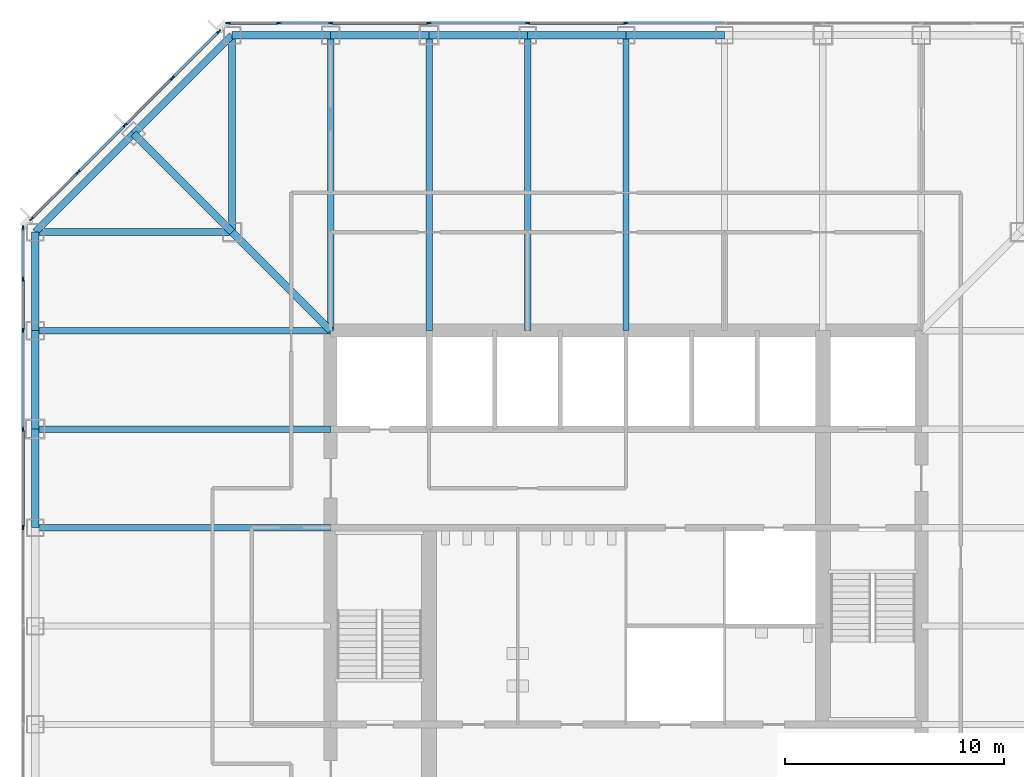
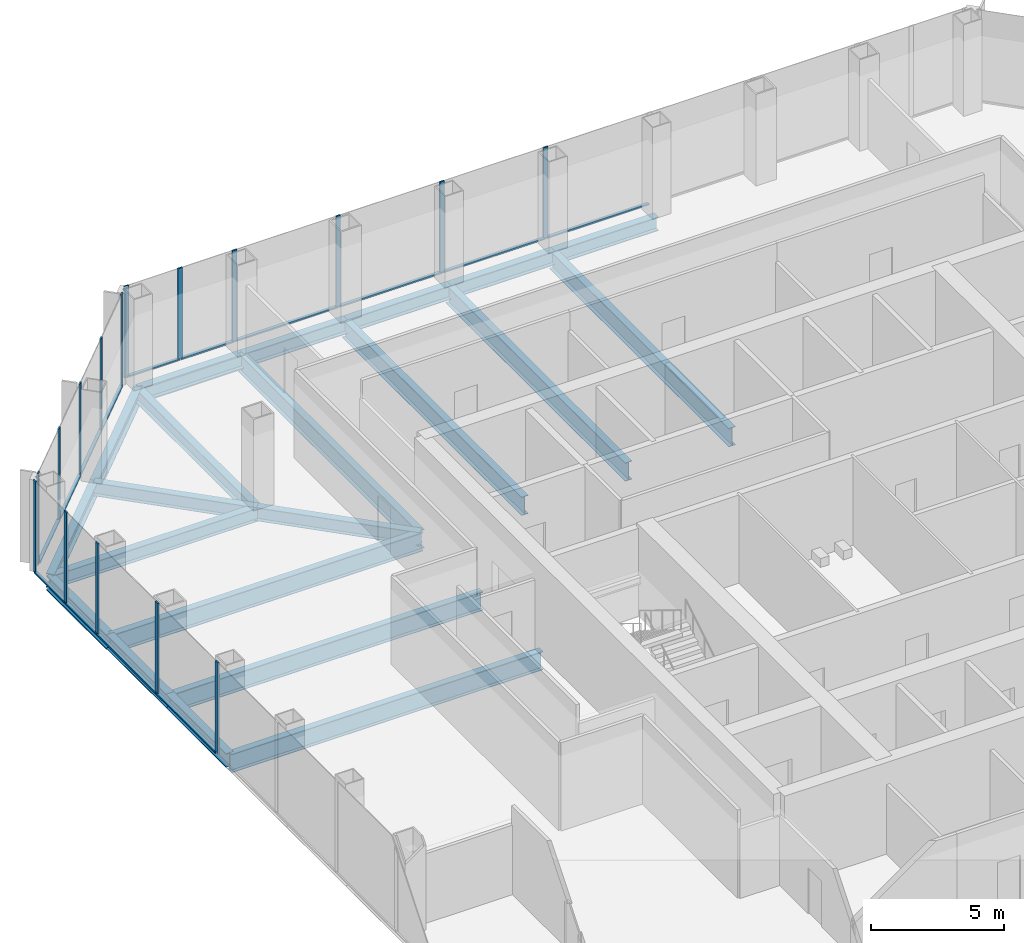
# One storey, part 5 of 12: 30 members, 21 beams, 3 elements without a shape of their own.
"""IFC4 building model written with IfcOpenShell, lengths in metres."""

import ifcopenshell
import ifcopenshell.guid

model = None  # the IFC model being written
_history = None  # IfcOwnerHistory: only IFC2X3 demands one
_inside = {}  # id of a spatial element -> (the spatial element, [elements in it])
_under = {}  # id of a project, library or spatial element -> (it, [spatial elements below it])
_declared = {}  # id of a project -> (the project, [libraries it declares])
_typed = {}  # id of a type object -> (the type object, [elements of that type])
_made_of = {}  # id of a material, layer set ... -> (it, [elements and type objects made of it])


def new_model(schema):
    """Start an empty IFC model of exactly this schema.

    Asked for "IFC4X3", IfcOpenShell would pick the latest addendum, in which some entities
    have other attributes; the version numbers below select the first issue.
    IFC2X3 requires an IfcOwnerHistory on every rooted entity: one is made here for all.
    """
    global model, _history
    if schema == "IFC4X3":
        model = ifcopenshell.file(schema_version=(4, 3, 0, 0))
    else:
        model = ifcopenshell.file(schema=schema)
    _inside.clear()
    _under.clear()
    _declared.clear()
    _typed.clear()
    _made_of.clear()
    _history = None
    if model.schema == "IFC2X3":
        org = make("IfcOrganization", Name="unknown")
        user = make(
            "IfcPersonAndOrganization",
            ThePerson=make("IfcPerson", FamilyName="unknown"),
            TheOrganization=org,
        )
        app = make(
            "IfcApplication",
            ApplicationDeveloper=org,
            Version="unknown",
            ApplicationFullName="unknown",
            ApplicationIdentifier="unknown",
        )
        _history = make(
            "IfcOwnerHistory",
            OwningUser=user,
            OwningApplication=app,
            ChangeAction="ADDED",
            CreationDate=0,
        )
    return model


def make(cls, **values):
    """One entity of the class cls with the attributes given. An attribute that is None is left unset."""
    return model.create_entity(
        cls, **{name: value for name, value in values.items() if value is not None}
    )


def rooted(cls, **values):
    """An entity with a GlobalId (a new one), such as an element, a storey or a relation."""
    return make(cls, GlobalId=ifcopenshell.guid.new(), OwnerHistory=_history, **values)


def si_unit(unit_type, name, prefix=None):
    """IfcSIUnit, for example si_unit("LENGTHUNIT", "METRE", prefix="MILLI")."""
    return make("IfcSIUnit", UnitType=unit_type, Prefix=prefix, Name=name)


def assignment(units):
    """IfcUnitAssignment: the units of a project."""
    return None if units is None else make("IfcUnitAssignment", Units=units)


def point(xyz):
    """IfcCartesianPoint."""
    return None if xyz is None else make("IfcCartesianPoint", Coordinates=xyz)


def direction(xyz):
    """IfcDirection."""
    return None if xyz is None else make("IfcDirection", DirectionRatios=xyz)


def frame(location, z_axis=None, x_axis=None):
    """IfcAxis2Placement3D, a coordinate frame: its origin and axes. An axis left out is left unset."""
    return make(
        "IfcAxis2Placement3D",
        Location=point(location),
        Axis=direction(z_axis),
        RefDirection=direction(x_axis),
    )


def frame_2d(location, x_axis=None):
    """IfcAxis2Placement2D, a coordinate frame in the plane: its origin and x axis."""
    return make(
        "IfcAxis2Placement2D", Location=point(location), RefDirection=direction(x_axis)
    )


def origin():
    """The frame at (0, 0, 0) with its axes left unset."""
    return frame((0.0, 0.0, 0.0))


def origin_2d():
    """The frame at (0, 0) in the plane with its x axis left unset."""
    return frame_2d((0.0, 0.0))


def place(relative_to, where):
    """IfcLocalPlacement: puts the frame where relative to a parent placement (None: the world)."""
    return make(
        "IfcLocalPlacement", PlacementRelTo=relative_to, RelativePlacement=where
    )


def context(
    kind, dimensions, precision=None, world=None, true_north=None, identifier=None
):
    """IfcGeometricRepresentationContext, for example the 3D "Model" context."""
    return make(
        "IfcGeometricRepresentationContext",
        ContextIdentifier=identifier,
        ContextType=kind,
        CoordinateSpaceDimension=dimensions,
        Precision=precision,
        WorldCoordinateSystem=world,
        TrueNorth=true_north,
    )


def subcontext(parent, identifier, kind, view, scale=None):
    """IfcGeometricRepresentationSubContext, for example "Body" below "Model"."""
    return make(
        "IfcGeometricRepresentationSubContext",
        ContextIdentifier=identifier,
        ContextType=kind,
        ParentContext=parent,
        TargetScale=scale,
        TargetView=view,
    )


def project(units=None, contexts=None):
    """IfcProject with its units and contexts."""
    return rooted(
        "IfcProject",
        Name="project",
        RepresentationContexts=contexts,
        UnitsInContext=assignment(units),
    )


def spatial(cls, under=None, at=None, **own):
    """A site, building, storey or space (cls), placed at a placement, below another one or the project."""
    s = rooted(cls, ObjectPlacement=at, **own)
    if under is not None:
        _under.setdefault(under.id(), (under, []))[1].append(s)
    return s


def profile(cls, at=None, kind="AREA", **sizes):
    """A parametric profile (cls). Its sizes go by their IFC names, for example OverallWidth=200.0."""
    return make(cls, ProfileType=kind, Position=at, **sizes)


def rectangle(**sizes):
    """IfcRectangleProfileDef."""
    return profile("IfcRectangleProfileDef", **sizes)


def i_section(**sizes):
    """IfcIShapeProfileDef."""
    return profile("IfcIShapeProfileDef", **sizes)


def extrude(swept, where, along, depth):
    """IfcExtrudedAreaSolid: the profile swept, set in the frame where, extruded along a direction by depth."""
    return make(
        "IfcExtrudedAreaSolid",
        SweptArea=swept,
        Position=where,
        ExtrudedDirection=direction(along),
        Depth=depth,
    )


def shape(context_of_items, identifier, shape_type, items):
    """IfcShapeRepresentation: the items that make up one representation, for example the "Body"."""
    return make(
        "IfcShapeRepresentation",
        ContextOfItems=context_of_items,
        RepresentationIdentifier=identifier,
        RepresentationType=shape_type,
        Items=items,
    )


def material(Name=None, Category=None):
    """IfcMaterial."""
    return make("IfcMaterial", Name=Name, Category=Category)


def material_profile(
    of_material, cross_section, Name=None, Category=None, Priority=None
):
    """IfcMaterialProfile: a cross section and its material."""
    return make(
        "IfcMaterialProfile",
        Name=Name,
        Material=of_material,
        Profile=cross_section,
        Priority=Priority,
        Category=Category,
    )


def profile_set(profiles, Name=None, composite=None):
    """IfcMaterialProfileSet."""
    return make(
        "IfcMaterialProfileSet",
        Name=Name,
        MaterialProfiles=profiles,
        CompositeProfile=composite,
    )


def made_of(thing, what):
    """Note that an element or type object is made of a material, layer set ...; save() writes the relation."""
    if what is not None:
        _made_of.setdefault(what.id(), (what, []))[1].append(thing)
    return thing


def type_object(cls, material=None, **own):
    """A type object (cls), such as IfcWallType, which elements share."""
    return made_of(rooted(cls, **own), material)


def element(
    cls,
    number,
    at=None,
    inside=None,
    cuts=None,
    type_object=None,
    material=None,
    context=None,
    identifier="Body",
    shape_type=None,
    held_by="IfcProductDefinitionShape",
    body=None,
    shapes=None,
    **own,
):
    """One element of the class cls, such as IfcWall. Its Tag is "e" and its number.

    at: its placement. inside: the storey or other place that contains it. cuts: it is an
    opening in that element (IfcRelVoidsElement). A single representation is given by context,
    identifier, shape_type and body (its items); several are given by shapes. held_by: the class
    of the entity that holds the representations. save() writes the other relations.
    """
    e = rooted(cls, Tag="e%d" % number, ObjectPlacement=at, **own)
    if body is not None:
        shapes = [shape(context, identifier, shape_type, body)]
    if shapes is not None:
        e.Representation = make(held_by, Representations=shapes)
    if inside is not None:
        _inside.setdefault(inside.id(), (inside, []))[1].append(e)
    if cuts is not None:
        rooted(
            "IfcRelVoidsElement", RelatingBuildingElement=cuts, RelatedOpeningElement=e
        )
    if type_object is not None:
        _typed.setdefault(type_object.id(), (type_object, []))[1].append(e)
    return made_of(e, material)


def aggregate(whole, parts):
    """IfcRelAggregates: a whole, such as a stair, and the parts it consists of."""
    return rooted("IfcRelAggregates", RelatingObject=whole, RelatedObjects=parts)


def save(model, path):
    """Write the relations noted so far, then the file.

    IfcRelAggregates (storeys below a building ...), IfcRelContainedInSpatialStructure (elements
    in a storey), IfcRelDefinesByType, IfcRelAssociatesMaterial and IfcRelDeclares: one each for
    every whole, place, type object, material and project.
    """
    for whole, parts in _under.values():
        aggregate(whole, parts)
    for where, things in _inside.values():
        rooted(
            "IfcRelContainedInSpatialStructure",
            RelatedElements=things,
            RelatingStructure=where,
        )
    for kind, things in _typed.values():
        rooted("IfcRelDefinesByType", RelatedObjects=things, RelatingType=kind)
    for what, things in _made_of.values():
        rooted("IfcRelAssociatesMaterial", RelatedObjects=things, RelatingMaterial=what)
    for by, libraries in _declared.values():
        rooted("IfcRelDeclares", RelatingContext=by, RelatedDefinitions=libraries)
    model.write(path)


model = new_model("IFC4")

# Units and contexts
model_context = context("Model", 3, precision=1e-05, world=origin(), true_north=direction((0.0, 1.0)))
body_context = subcontext(model_context, "Body", "Model", "MODEL_VIEW")
ifc_project = project(units=[si_unit("LENGTHUNIT", "METRE"), si_unit("AREAUNIT", "SQUARE_METRE"), si_unit("VOLUMEUNIT", "CUBIC_METRE"), si_unit("PLANEANGLEUNIT", "RADIAN"), si_unit("MASSUNIT", "GRAM", prefix="KILO")], contexts=[model_context])

# Site, building, storey
site_placement = place(None, origin())
site = spatial("IfcSite", under=ifc_project, at=site_placement, CompositionType="ELEMENT")
building_placement = place(site_placement, origin())
building = spatial("IfcBuilding", under=site, at=building_placement, Name="Corais Broadcast Tower", CompositionType="ELEMENT")
storey_placement = place(building_placement, frame((0.0, 0.0, 58.39990234375)))
storey = spatial("IfcBuildingStorey", under=building, at=storey_placement, Name="L12", CompositionType="ELEMENT", Elevation=58.39990234375)

# Beams
ifc_material_1 = material(Name="Steel ASTM A572 Grade 50", Category="steel")
ifc_material_profile_1 = material_profile(ifc_material_1, i_section(OverallWidth=0.323974609375, OverallDepth=0.611083984375, WebThickness=0.0126953125, FlangeThickness=0.01904296875, at=origin_2d()), Name="W610x155")
ifc_profile_set_1 = profile_set([ifc_material_profile_1], Name="Steel ASTM A572 Grade 50")
beam_type_1 = type_object("IfcBeamType", Name="Chamfer tie W610x155", PredefinedType="BEAM", material=ifc_profile_set_1)
beam_1_placement = place(storey_placement, frame((4.5, 49.5, -0.46533203125), z_axis=(0.707106781187, -0.707106781187, 0.0), x_axis=(0.707106781187, 0.707106781187, 0.0)))
element("IfcBeam", 1, at=beam_1_placement, inside=storey, type_object=beam_type_1, Name="B5 M/4 to L/5", PredefinedType="BEAM", context=body_context, shape_type="SweptSolid", body=[
    extrude(i_section(OverallWidth=0.323974609375, OverallDepth=0.611083984375, WebThickness=0.0126953125, FlangeThickness=0.01904296875, at=origin_2d()), origin(), (0.0, 0.0, 1.0), 6.364013671875),
])
ifc_material_2 = material(Name="Steel ASTM A572 Grade 50", Category="steel")
ifc_material_profile_2 = material_profile(ifc_material_2, i_section(OverallWidth=0.323974609375, OverallDepth=0.611083984375, WebThickness=0.0126953125, FlangeThickness=0.01904296875, at=origin_2d()), Name="W610x155")
ifc_profile_set_2 = profile_set([ifc_material_profile_2], Name="Steel ASTM A572 Grade 50")
beam_type_2 = type_object("IfcBeamType", Name="Corner diagonal W610x155", PredefinedType="BEAM", material=ifc_profile_set_2)
beam_2_placement = place(storey_placement, frame((9.0, 45.0, -0.46533203125), z_axis=(0.707106781187, -0.707106781187, 0.0), x_axis=(0.707106781187, 0.707106781187, 0.0)))
element("IfcBeam", 2, at=beam_2_placement, inside=storey, type_object=beam_type_2, Name="B6 L/5 to K/6", PredefinedType="BEAM", context=body_context, shape_type="SweptSolid", body=[
    extrude(i_section(OverallWidth=0.323974609375, OverallDepth=0.611083984375, WebThickness=0.0126953125, FlangeThickness=0.01904296875, at=origin_2d()), origin(), (0.0, 0.0, 1.0), 6.364013671875),
])
ifc_material_3 = material(Name="Steel ASTM A572 Grade 50", Category="steel")
ifc_material_profile_3 = material_profile(ifc_material_3, i_section(OverallWidth=0.323974609375, OverallDepth=0.611083984375, WebThickness=0.0126953125, FlangeThickness=0.01904296875, at=origin_2d()), Name="W610x155")
ifc_profile_set_3 = profile_set([ifc_material_profile_3], Name="Steel ASTM A572 Grade 50")
beam_type_3 = type_object("IfcBeamType", Name="Corner girder W610x155", PredefinedType="BEAM", material=ifc_profile_set_3)
for number, where, z_axis, x_axis, name in (
    (3, (0.0, 45.0, -0.46533203125), (1.0, 0.0, 0.0), (0.0, 1.0, 0.0), "B4 L/3 to L/5"),
    (4, (9.0, 54.0, -0.46533203125), (0.0, -1.0, 0.0), (1.0, 0.0, 0.0), "B4 N/5 to L/5"),
):
    element("IfcBeam", number, at=place(storey_placement, frame(where, z_axis=z_axis, x_axis=x_axis)), inside=storey, type_object=beam_type_3, Name=name, PredefinedType="BEAM", context=body_context, shape_type="SweptSolid", body=[
        extrude(i_section(OverallWidth=0.323974609375, OverallDepth=0.611083984375, WebThickness=0.0126953125, FlangeThickness=0.01904296875, at=origin_2d()), origin(), (0.0, 0.0, 1.0), 9.0),
    ])
ifc_material_4 = material(Name="Steel ASTM A572 Grade 50", Category="steel")
ifc_material_profile_4 = material_profile(ifc_material_4, i_section(OverallWidth=0.337890625, OverallDepth=0.677978515625, WebThickness=0.029541015625, FlangeThickness=0.052978515625, at=origin_2d()), Name="W610x415")
ifc_profile_set_4 = profile_set([ifc_material_profile_4], Name="Steel ASTM A572 Grade 50")
beam_type_4 = type_object("IfcBeamType", Name="Corner spandrel W610x415", PredefinedType="BEAM", material=ifc_profile_set_4)
for number, where, z_axis, x_axis, name in (
    (5, (0.0, 45.0, -0.4990234375), (0.0, -1.0, 0.0), (1.0, 0.0, 0.0), "SB10 L/3 to K/3"),
    (6, (13.5, 54.0, -0.4990234375), (-1.0, 0.0, 0.0), (0.0, -1.0, 0.0), "SB10 N/6 to N/5"),
):
    element("IfcBeam", number, at=place(storey_placement, frame(where, z_axis=z_axis, x_axis=x_axis)), inside=storey, type_object=beam_type_4, Name=name, PredefinedType="BEAM", context=body_context, shape_type="SweptSolid", body=[
        extrude(i_section(OverallWidth=0.337890625, OverallDepth=0.677978515625, WebThickness=0.029541015625, FlangeThickness=0.052978515625, at=origin_2d()), origin(), (0.0, 0.0, 1.0), 4.5),
    ])
ifc_material_5 = material(Name="Steel ASTM A572 Grade 50", Category="steel")
ifc_material_profile_5 = material_profile(ifc_material_5, i_section(OverallWidth=0.2939453125, OverallDepth=0.85107421875, WebThickness=0.01611328125, FlangeThickness=0.02685546875, at=origin_2d()), Name="W840x226")
ifc_profile_set_5 = profile_set([ifc_material_profile_5], Name="Steel ASTM A572 Grade 50")
beam_type_5 = type_object("IfcBeamType", Name="Floor beam W840x226", PredefinedType="BEAM", material=ifc_profile_set_5)
for number, where, z_axis, x_axis, name in (
    (7, (0.0, 31.5, -0.58544921875), (1.0, 0.0, 0.0), (0.0, 1.0, 0.0), "B1 H/3 to H/6"),
    (8, (0.0, 36.0, -0.58544921875), (1.0, 0.0, 0.0), (0.0, 1.0, 0.0), "B1 J/3 to J/6"),
    (9, (0.0, 40.5, -0.58544921875), (1.0, 0.0, 0.0), (0.0, 1.0, 0.0), "B1 K/3 to K/6"),
    (10, (13.5, 54.0, -0.58544921875), (0.0, -1.0, 0.0), (1.0, 0.0, 0.0), "B1 N/6 to K/6"),
    (11, (18.0, 54.0, -0.58544921875), (0.0, -1.0, 0.0), (1.0, 0.0, 0.0), "B1 N/7 to K/7"),
    (12, (22.5, 54.0, -0.58544921875), (0.0, -1.0, 0.0), (1.0, 0.0, 0.0), "B1 N/8 to K/8"),
    (13, (27.0, 54.0, -0.58544921875), (0.0, -1.0, 0.0), (1.0, 0.0, 0.0), "B1 N/9 to K/9"),
):
    element("IfcBeam", number, at=place(storey_placement, frame(where, z_axis=z_axis, x_axis=x_axis)), inside=storey, type_object=beam_type_5, Name=name, PredefinedType="BEAM", context=body_context, shape_type="SweptSolid", body=[
        extrude(i_section(OverallWidth=0.2939453125, OverallDepth=0.85107421875, WebThickness=0.01611328125, FlangeThickness=0.02685546875, at=origin_2d()), origin(), (0.0, 0.0, 1.0), 13.5),
    ])

# Curtain wall, members
ifc_material_6 = material(Name="Aluminium and glass", Category="aluminium")
curtain_wall_type = type_object("IfcCurtainWallType", Name="Unitised fritted curtain wall CW1", PredefinedType="NOTDEFINED", material=ifc_material_6)
curtain_wall_1_placement = place(storey_placement, origin())
curtain_wall_1 = element("IfcCurtainWall", 14, at=curtain_wall_1_placement, inside=storey, type_object=curtain_wall_type, Name="CW1 curtain wall L12 2", PredefinedType="NOTDEFINED")
ifc_material_7 = material(Name="Aluminium 6063-T6", Category="aluminium")
ifc_material_profile_6 = material_profile(ifc_material_7, rectangle(XDim=0.06494140625, YDim=0.199951171875, at=origin_2d()), Name="Mullion CW1 65x200")
ifc_profile_set_6 = profile_set([ifc_material_profile_6], Name="Aluminium 6063-T6")
member_type_1 = type_object("IfcMemberType", Name="Mullion CW1 65x200", PredefinedType="MULLION", material=ifc_profile_set_6)
member_1_placement = place(storey_placement, frame((-0.550048828125, 31.5, 0.0), z_axis=(0.0, 0.0, 1.0), x_axis=(-1.0, 0.0, 0.0)))
member_1 = element("IfcMember", 15, at=member_1_placement, type_object=member_type_1, Name="CW1 mullion 7", PredefinedType="MULLION", context=body_context, shape_type="SweptSolid", body=[
    extrude(rectangle(XDim=0.06494140625, YDim=0.199951171875, at=origin_2d()), origin(), (0.0, 0.0, 1.0), 4.2001953125),
])
member_2_placement = place(storey_placement, frame((-0.550048828125, 36.0, 0.0), z_axis=(0.0, 0.0, 1.0), x_axis=(-1.0, 0.0, 0.0)))
member_2 = element("IfcMember", 16, at=member_2_placement, type_object=member_type_1, Name="CW1 mullion 8", PredefinedType="MULLION", context=body_context, shape_type="SweptSolid", body=[
    extrude(rectangle(XDim=0.06494140625, YDim=0.199951171875, at=origin_2d()), origin(), (0.0, 0.0, 1.0), 4.2001953125),
])
member_3_placement = place(storey_placement, frame((-0.550048828125, 40.5, 0.0), z_axis=(0.0, 0.0, 1.0), x_axis=(-1.0, 0.0, 0.0)))
member_3 = element("IfcMember", 17, at=member_3_placement, type_object=member_type_1, Name="CW1 mullion 9", PredefinedType="MULLION", context=body_context, shape_type="SweptSolid", body=[
    extrude(rectangle(XDim=0.06494140625, YDim=0.199951171875, at=origin_2d()), origin(), (0.0, 0.0, 1.0), 4.2001953125),
])
member_4_placement = place(storey_placement, frame((-0.550048828125, 42.864013671875, 0.0), z_axis=(0.0, 0.0, 1.0), x_axis=(-1.0, 0.0, 0.0)))
member_4 = element("IfcMember", 18, at=member_4_placement, type_object=member_type_1, Name="CW1 mullion 10", PredefinedType="MULLION", context=body_context, shape_type="SweptSolid", body=[
    extrude(rectangle(XDim=0.06494140625, YDim=0.199951171875, at=origin_2d()), origin(), (0.0, 0.0, 1.0), 4.2001953125),
])
member_5_placement = place(storey_placement, frame((-0.550048828125, 45.1953125, 0.0), z_axis=(0.0, 0.0, 1.0), x_axis=(-1.0, 0.0, 0.0)))
member_5 = element("IfcMember", 19, at=member_5_placement, type_object=member_type_1, Name="CW1 mullion 11", PredefinedType="MULLION", context=body_context, shape_type="SweptSolid", body=[
    extrude(rectangle(XDim=0.06494140625, YDim=0.199951171875, at=origin_2d()), origin(), (0.0, 0.0, 1.0), 4.2001953125),
])

curtain_wall_2_placement = place(storey_placement, origin())
curtain_wall_2 = element("IfcCurtainWall", 20, at=curtain_wall_2_placement, inside=storey, type_object=curtain_wall_type, Name="CW1 curtain wall L12 3", PredefinedType="NOTDEFINED")
member_6_placement = place(storey_placement, frame((-0.17333984375, 45.6044921875, 0.0), z_axis=(0.0, 0.0, 1.0), x_axis=(-0.707106781187, 0.707106781187, 0.0)))
member_6 = element("IfcMember", 21, at=member_6_placement, type_object=member_type_1, Name="CW1 mullion 1", PredefinedType="MULLION", context=body_context, shape_type="SweptSolid", body=[
    extrude(rectangle(XDim=0.06494140625, YDim=0.199951171875, at=origin_2d()), origin(), (0.0, 0.0, 1.0), 4.2001953125),
])
member_7_placement = place(storey_placement, frame((1.957275390625, 47.735107421875, 0.0), z_axis=(0.0, 0.0, 1.0), x_axis=(-0.707106781187, 0.707106781187, 0.0)))
member_7 = element("IfcMember", 22, at=member_7_placement, type_object=member_type_1, Name="CW1 mullion 2", PredefinedType="MULLION", context=body_context, shape_type="SweptSolid", body=[
    extrude(rectangle(XDim=0.06494140625, YDim=0.199951171875, at=origin_2d()), origin(), (0.0, 0.0, 1.0), 4.2001953125),
])
member_8_placement = place(storey_placement, frame((4.111083984375, 49.888916015625, 0.0), z_axis=(0.0, 0.0, 1.0), x_axis=(-0.707106781187, 0.707106781187, 0.0)))
member_8 = element("IfcMember", 23, at=member_8_placement, type_object=member_type_1, Name="CW1 mullion 3", PredefinedType="MULLION", context=body_context, shape_type="SweptSolid", body=[
    extrude(rectangle(XDim=0.06494140625, YDim=0.199951171875, at=origin_2d()), origin(), (0.0, 0.0, 1.0), 4.2001953125),
])
member_9_placement = place(storey_placement, frame((6.264892578125, 52.042724609375, 0.0), z_axis=(0.0, 0.0, 1.0), x_axis=(-0.707106781187, 0.707106781187, 0.0)))
member_9 = element("IfcMember", 24, at=member_9_placement, type_object=member_type_1, Name="CW1 mullion 4", PredefinedType="MULLION", context=body_context, shape_type="SweptSolid", body=[
    extrude(rectangle(XDim=0.06494140625, YDim=0.199951171875, at=origin_2d()), origin(), (0.0, 0.0, 1.0), 4.2001953125),
])
member_10_placement = place(storey_placement, frame((8.3955078125, 54.17333984375, 0.0), z_axis=(0.0, 0.0, 1.0), x_axis=(-0.707106781187, 0.707106781187, 0.0)))
member_10 = element("IfcMember", 25, at=member_10_placement, type_object=member_type_1, Name="CW1 mullion 5", PredefinedType="MULLION", context=body_context, shape_type="SweptSolid", body=[
    extrude(rectangle(XDim=0.06494140625, YDim=0.199951171875, at=origin_2d()), origin(), (0.0, 0.0, 1.0), 4.2001953125),
])

curtain_wall_3_placement = place(storey_placement, origin())
curtain_wall_3 = element("IfcCurtainWall", 26, at=curtain_wall_3_placement, inside=storey, type_object=curtain_wall_type, Name="CW1 curtain wall L12 4", PredefinedType="NOTDEFINED")
member_11_placement = place(storey_placement, frame((8.8046875, 54.550048828125, 0.0), z_axis=(0.0, 0.0, 1.0), x_axis=(0.0, 1.0, 0.0)))
member_11 = element("IfcMember", 27, at=member_11_placement, type_object=member_type_1, Name="CW1 mullion 1", PredefinedType="MULLION", context=body_context, shape_type="SweptSolid", body=[
    extrude(rectangle(XDim=0.06494140625, YDim=0.199951171875, at=origin_2d()), origin(), (0.0, 0.0, 1.0), 4.2001953125),
])
member_12_placement = place(storey_placement, frame((11.135986328125, 54.550048828125, 0.0), z_axis=(0.0, 0.0, 1.0), x_axis=(0.0, 1.0, 0.0)))
member_12 = element("IfcMember", 28, at=member_12_placement, type_object=member_type_1, Name="CW1 mullion 2", PredefinedType="MULLION", context=body_context, shape_type="SweptSolid", body=[
    extrude(rectangle(XDim=0.06494140625, YDim=0.199951171875, at=origin_2d()), origin(), (0.0, 0.0, 1.0), 4.2001953125),
])
member_13_placement = place(storey_placement, frame((13.5, 54.550048828125, 0.0), z_axis=(0.0, 0.0, 1.0), x_axis=(0.0, 1.0, 0.0)))
member_13 = element("IfcMember", 29, at=member_13_placement, type_object=member_type_1, Name="CW1 mullion 3", PredefinedType="MULLION", context=body_context, shape_type="SweptSolid", body=[
    extrude(rectangle(XDim=0.06494140625, YDim=0.199951171875, at=origin_2d()), origin(), (0.0, 0.0, 1.0), 4.2001953125),
])
member_14_placement = place(storey_placement, frame((18.0, 54.550048828125, 0.0), z_axis=(0.0, 0.0, 1.0), x_axis=(0.0, 1.0, 0.0)))
member_14 = element("IfcMember", 30, at=member_14_placement, type_object=member_type_1, Name="CW1 mullion 4", PredefinedType="MULLION", context=body_context, shape_type="SweptSolid", body=[
    extrude(rectangle(XDim=0.06494140625, YDim=0.199951171875, at=origin_2d()), origin(), (0.0, 0.0, 1.0), 4.2001953125),
])
member_15_placement = place(storey_placement, frame((22.5, 54.550048828125, 0.0), z_axis=(0.0, 0.0, 1.0), x_axis=(0.0, 1.0, 0.0)))
member_15 = element("IfcMember", 31, at=member_15_placement, type_object=member_type_1, Name="CW1 mullion 5", PredefinedType="MULLION", context=body_context, shape_type="SweptSolid", body=[
    extrude(rectangle(XDim=0.06494140625, YDim=0.199951171875, at=origin_2d()), origin(), (0.0, 0.0, 1.0), 4.2001953125),
])
member_16_placement = place(storey_placement, frame((27.0, 54.550048828125, 0.0), z_axis=(0.0, 0.0, 1.0), x_axis=(0.0, 1.0, 0.0)))
member_16 = element("IfcMember", 32, at=member_16_placement, type_object=member_type_1, Name="CW1 mullion 6", PredefinedType="MULLION", context=body_context, shape_type="SweptSolid", body=[
    extrude(rectangle(XDim=0.06494140625, YDim=0.199951171875, at=origin_2d()), origin(), (0.0, 0.0, 1.0), 4.2001953125),
])

# Beams
ifc_material_8 = material(Name="Steel ASTM A572 Grade 50", Category="steel")
ifc_material_profile_7 = material_profile(ifc_material_8, i_section(OverallWidth=0.3291015625, OverallDepth=0.635009765625, WebThickness=0.017822265625, FlangeThickness=0.031005859375, at=origin_2d()), Name="W610x241")
ifc_profile_set_7 = profile_set([ifc_material_profile_7], Name="Steel ASTM A572 Grade 50")
beam_type_6 = type_object("IfcBeamType", Name="Spandrel W610x241", PredefinedType="BEAM", material=ifc_profile_set_7)
for number, where, z_axis, x_axis, name in (
    (33, (0.0, 36.0, -0.477294921875), (0.0, -1.0, 0.0), (1.0, 0.0, 0.0), "SB1 J/3 to H/3"),
    (34, (0.0, 40.5, -0.477294921875), (0.0, -1.0, 0.0), (1.0, 0.0, 0.0), "SB1 K/3 to J/3"),
    (35, (18.0, 54.0, -0.477294921875), (-1.0, 0.0, 0.0), (0.0, -1.0, 0.0), "SB1 N/7 to N/6"),
    (36, (22.5, 54.0, -0.477294921875), (-1.0, 0.0, 0.0), (0.0, -1.0, 0.0), "SB1 N/8 to N/7"),
    (37, (27.0, 54.0, -0.477294921875), (-1.0, 0.0, 0.0), (0.0, -1.0, 0.0), "SB1 N/9 to N/8"),
    (38, (31.5, 54.0, -0.477294921875), (-1.0, 0.0, 0.0), (0.0, -1.0, 0.0), "SB1 N/10 to N/9"),
):
    element("IfcBeam", number, at=place(storey_placement, frame(where, z_axis=z_axis, x_axis=x_axis)), inside=storey, type_object=beam_type_6, Name=name, PredefinedType="BEAM", context=body_context, shape_type="SweptSolid", body=[
        extrude(i_section(OverallWidth=0.3291015625, OverallDepth=0.635009765625, WebThickness=0.017822265625, FlangeThickness=0.031005859375, at=origin_2d()), origin(), (0.0, 0.0, 1.0), 4.5),
    ])
for number, where, z_axis, x_axis, name in (
    (39, (4.5, 49.5, -0.477294921875), (-0.707106781187, -0.707106781187, 0.0), (0.707106781187, -0.707106781187, 0.0), "SB1 M/4 to L/3"),
    (40, (9.0, 54.0, -0.477294921875), (-0.707106781187, -0.707106781187, 0.0), (0.707106781187, -0.707106781187, 0.0), "SB1 N/5 to M/4"),
):
    element("IfcBeam", number, at=place(storey_placement, frame(where, z_axis=z_axis, x_axis=x_axis)), inside=storey, type_object=beam_type_6, Name=name, PredefinedType="BEAM", context=body_context, shape_type="SweptSolid", body=[
        extrude(i_section(OverallWidth=0.3291015625, OverallDepth=0.635009765625, WebThickness=0.017822265625, FlangeThickness=0.031005859375, at=origin_2d()), origin(), (0.0, 0.0, 1.0), 6.364013671875),
    ])

# Member
ifc_material_9 = material(Name="Aluminium 6063-T6", Category="aluminium")
ifc_material_profile_8 = material_profile(ifc_material_9, rectangle(XDim=0.139892578125, YDim=0.06494140625, at=origin_2d()), Name="Transom CW1 65x140")
ifc_profile_set_8 = profile_set([ifc_material_profile_8], Name="Aluminium 6063-T6")
member_type_2 = type_object("IfcMemberType", Name="Transom CW1 65x140", PredefinedType="USERDEFINED", material=ifc_profile_set_8)
member_17_placement = place(storey_placement, frame((-0.550048828125, 31.532470703125, 0.03271484375), z_axis=(0.0, 1.0, 0.0), x_axis=(-1.0, 0.0, 0.0)))
member_17 = element("IfcMember", 41, at=member_17_placement, type_object=member_type_2, Name="CW1 transom 7.1", ObjectType="TRANSOM", PredefinedType="USERDEFINED", context=body_context, shape_type="SweptSolid", body=[
    extrude(rectangle(XDim=0.139892578125, YDim=0.06494140625, at=origin_2d()), origin(), (0.0, 0.0, 1.0), 4.43505859375),
])

member_18_placement = place(storey_placement, frame((-0.550048828125, 36.032470703125, 0.03271484375), z_axis=(0.0, 1.0, 0.0), x_axis=(-1.0, 0.0, 0.0)))
member_18 = element("IfcMember", 42, at=member_18_placement, type_object=member_type_2, Name="CW1 transom 8.1", ObjectType="TRANSOM", PredefinedType="USERDEFINED", context=body_context, shape_type="SweptSolid", body=[
    extrude(rectangle(XDim=0.139892578125, YDim=0.06494140625, at=origin_2d()), origin(), (0.0, 0.0, 1.0), 4.43505859375),
])

member_19_placement = place(storey_placement, frame((-0.550048828125, 40.532470703125, 0.03271484375), z_axis=(0.0, 1.0, 0.0), x_axis=(-1.0, 0.0, 0.0)))
member_19 = element("IfcMember", 43, at=member_19_placement, type_object=member_type_2, Name="CW1 transom 9.1", ObjectType="TRANSOM", PredefinedType="USERDEFINED", context=body_context, shape_type="SweptSolid", body=[
    extrude(rectangle(XDim=0.139892578125, YDim=0.06494140625, at=origin_2d()), origin(), (0.0, 0.0, 1.0), 2.298828125),
])

member_20_placement = place(storey_placement, frame((-0.550048828125, 42.896484375, 0.03271484375), z_axis=(0.0, 1.0, 0.0), x_axis=(-1.0, 0.0, 0.0)))
member_20 = element("IfcMember", 44, at=member_20_placement, type_object=member_type_2, Name="CW1 transom 10.1", ObjectType="TRANSOM", PredefinedType="USERDEFINED", context=body_context, shape_type="SweptSolid", body=[
    extrude(rectangle(XDim=0.139892578125, YDim=0.06494140625, at=origin_2d()), origin(), (0.0, 0.0, 1.0), 2.266357421875),
])

aggregate(curtain_wall_1, [member_1, member_2, member_3, member_4, member_5, member_17, member_18, member_19, member_20])

member_21_placement = place(storey_placement, frame((-0.150390625, 45.62744140625, 0.03271484375), z_axis=(0.707106781187, 0.707106781187, 0.0), x_axis=(-0.707106781187, 0.707106781187, 0.0)))
member_21 = element("IfcMember", 45, at=member_21_placement, type_object=member_type_2, Name="CW1 transom 1.1", ObjectType="TRANSOM", PredefinedType="USERDEFINED", context=body_context, shape_type="SweptSolid", body=[
    extrude(rectangle(XDim=0.139892578125, YDim=0.06494140625, at=origin_2d()), origin(), (0.0, 0.0, 1.0), 2.9482421875),
])

member_22_placement = place(storey_placement, frame((1.980224609375, 47.758056640625, 0.03271484375), z_axis=(0.707106781187, 0.707106781187, 0.0), x_axis=(-0.707106781187, 0.707106781187, 0.0)))
member_22 = element("IfcMember", 46, at=member_22_placement, type_object=member_type_2, Name="CW1 transom 2.1", ObjectType="TRANSOM", PredefinedType="USERDEFINED", context=body_context, shape_type="SweptSolid", body=[
    extrude(rectangle(XDim=0.139892578125, YDim=0.06494140625, at=origin_2d()), origin(), (0.0, 0.0, 1.0), 2.98095703125),
])

member_23_placement = place(storey_placement, frame((4.134033203125, 49.911865234375, 0.03271484375), z_axis=(0.707106781187, 0.707106781187, 0.0), x_axis=(-0.707106781187, 0.707106781187, 0.0)))
member_23 = element("IfcMember", 47, at=member_23_placement, type_object=member_type_2, Name="CW1 transom 3.1", ObjectType="TRANSOM", PredefinedType="USERDEFINED", context=body_context, shape_type="SweptSolid", body=[
    extrude(rectangle(XDim=0.139892578125, YDim=0.06494140625, at=origin_2d()), origin(), (0.0, 0.0, 1.0), 2.98095703125),
])

member_24_placement = place(storey_placement, frame((6.287841796875, 52.065673828125, 0.03271484375), z_axis=(0.707106781187, 0.707106781187, 0.0), x_axis=(-0.707106781187, 0.707106781187, 0.0)))
member_24 = element("IfcMember", 48, at=member_24_placement, type_object=member_type_2, Name="CW1 transom 4.1", ObjectType="TRANSOM", PredefinedType="USERDEFINED", context=body_context, shape_type="SweptSolid", body=[
    extrude(rectangle(XDim=0.139892578125, YDim=0.06494140625, at=origin_2d()), origin(), (0.0, 0.0, 1.0), 2.9482421875),
])

aggregate(curtain_wall_2, [member_6, member_7, member_8, member_9, member_10, member_21, member_22, member_23, member_24])

member_25_placement = place(storey_placement, frame((8.837158203125, 54.550048828125, 0.03271484375), z_axis=(1.0, 0.0, 0.0), x_axis=(0.0, 1.0, 0.0)))
member_25 = element("IfcMember", 49, at=member_25_placement, type_object=member_type_2, Name="CW1 transom 1.1", ObjectType="TRANSOM", PredefinedType="USERDEFINED", context=body_context, shape_type="SweptSolid", body=[
    extrude(rectangle(XDim=0.139892578125, YDim=0.06494140625, at=origin_2d()), origin(), (0.0, 0.0, 1.0), 2.266357421875),
])

member_26_placement = place(storey_placement, frame((11.168701171875, 54.550048828125, 0.03271484375), z_axis=(1.0, 0.0, 0.0), x_axis=(0.0, 1.0, 0.0)))
member_26 = element("IfcMember", 50, at=member_26_placement, type_object=member_type_2, Name="CW1 transom 2.1", ObjectType="TRANSOM", PredefinedType="USERDEFINED", context=body_context, shape_type="SweptSolid", body=[
    extrude(rectangle(XDim=0.139892578125, YDim=0.06494140625, at=origin_2d()), origin(), (0.0, 0.0, 1.0), 2.298828125),
])

member_27_placement = place(storey_placement, frame((13.532470703125, 54.550048828125, 0.03271484375), z_axis=(1.0, 0.0, 0.0), x_axis=(0.0, 1.0, 0.0)))
member_27 = element("IfcMember", 51, at=member_27_placement, type_object=member_type_2, Name="CW1 transom 3.1", ObjectType="TRANSOM", PredefinedType="USERDEFINED", context=body_context, shape_type="SweptSolid", body=[
    extrude(rectangle(XDim=0.139892578125, YDim=0.06494140625, at=origin_2d()), origin(), (0.0, 0.0, 1.0), 4.43505859375),
])

member_28_placement = place(storey_placement, frame((18.032470703125, 54.550048828125, 0.03271484375), z_axis=(1.0, 0.0, 0.0), x_axis=(0.0, 1.0, 0.0)))
member_28 = element("IfcMember", 52, at=member_28_placement, type_object=member_type_2, Name="CW1 transom 4.1", ObjectType="TRANSOM", PredefinedType="USERDEFINED", context=body_context, shape_type="SweptSolid", body=[
    extrude(rectangle(XDim=0.139892578125, YDim=0.06494140625, at=origin_2d()), origin(), (0.0, 0.0, 1.0), 4.43505859375),
])

member_29_placement = place(storey_placement, frame((22.532470703125, 54.550048828125, 0.03271484375), z_axis=(1.0, 0.0, 0.0), x_axis=(0.0, 1.0, 0.0)))
member_29 = element("IfcMember", 53, at=member_29_placement, type_object=member_type_2, Name="CW1 transom 5.1", ObjectType="TRANSOM", PredefinedType="USERDEFINED", context=body_context, shape_type="SweptSolid", body=[
    extrude(rectangle(XDim=0.139892578125, YDim=0.06494140625, at=origin_2d()), origin(), (0.0, 0.0, 1.0), 4.43505859375),
])

member_30_placement = place(storey_placement, frame((27.032470703125, 54.550048828125, 0.03271484375), z_axis=(1.0, 0.0, 0.0), x_axis=(0.0, 1.0, 0.0)))
member_30 = element("IfcMember", 54, at=member_30_placement, type_object=member_type_2, Name="CW1 transom 6.1", ObjectType="TRANSOM", PredefinedType="USERDEFINED", context=body_context, shape_type="SweptSolid", body=[
    extrude(rectangle(XDim=0.139892578125, YDim=0.06494140625, at=origin_2d()), origin(), (0.0, 0.0, 1.0), 4.43505859375),
])

aggregate(curtain_wall_3, [member_11, member_12, member_13, member_14, member_15, member_16, member_25, member_26, member_27, member_28, member_29, member_30])

save(model, "model.ifc")
